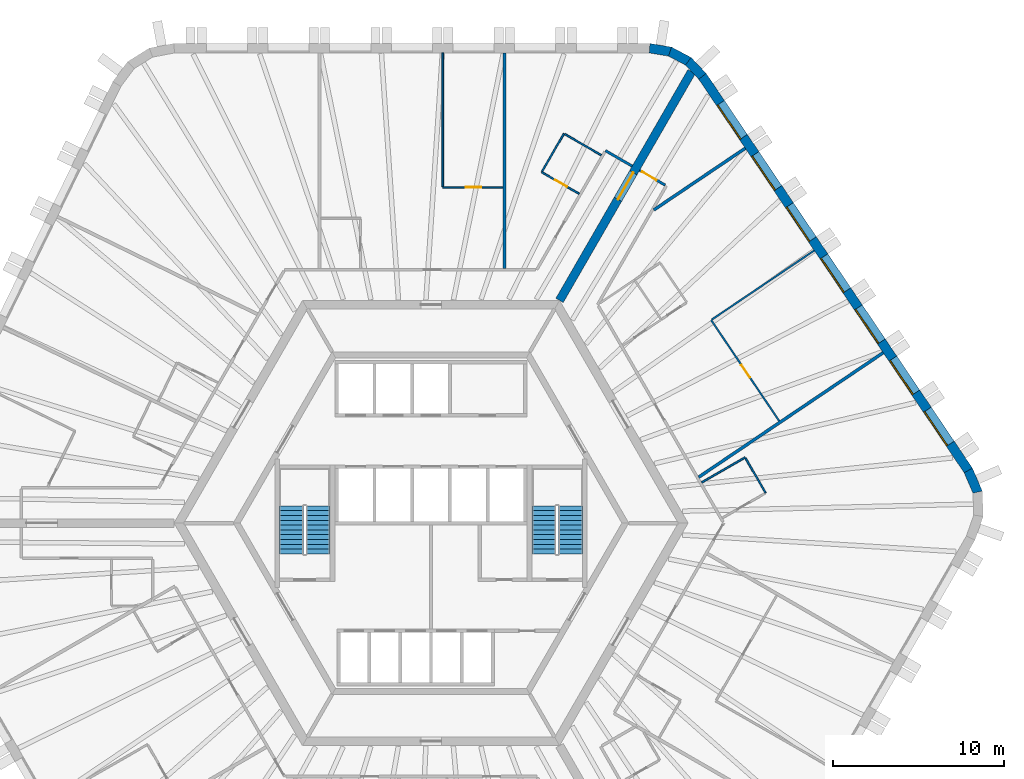
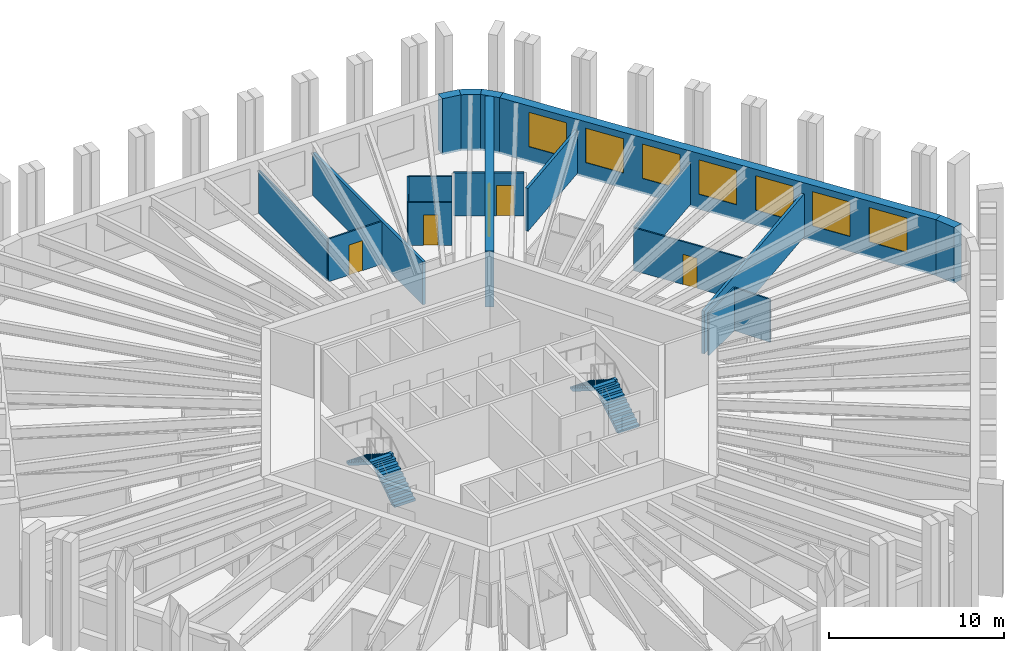
# One storey, part 9 of 10: 20 walls, 7 windows, 5 doors, 4 stair flights, 12 openings, 2 elements without a shape of their own.
"""IFC4 building model written with IfcOpenShell, lengths in metres."""

from ifc_helpers import new_model, si_unit, direction, frame, frame_2d, origin, place, context, subcontext, project, spatial, polyline, rectangle, outline, extrude, material, layer, layer_set, type_object, element, fill, aggregate, save


model = new_model("IFC4")

# Units and contexts
model_context = context("Model", 3, precision=1e-05, world=origin(), true_north=direction((0.0, 1.0)))
body_context = subcontext(model_context, "Body", "Model", "MODEL_VIEW")
ifc_project = project(units=[si_unit("LENGTHUNIT", "METRE"), si_unit("AREAUNIT", "SQUARE_METRE"), si_unit("VOLUMEUNIT", "CUBIC_METRE"), si_unit("PLANEANGLEUNIT", "RADIAN"), si_unit("MASSUNIT", "GRAM", prefix="KILO")], contexts=[model_context])

# Site, building, storey
site_placement = place(None, origin())
site = spatial("IfcSite", under=ifc_project, at=site_placement, CompositionType="ELEMENT")
building_placement = place(site_placement, origin())
building = spatial("IfcBuilding", under=site, at=building_placement, Name="Tarnside Tower", CompositionType="ELEMENT")
storey_placement = place(building_placement, frame((0.0, 0.0, 176.10009765625)))
storey = spatial("IfcBuildingStorey", under=building, at=storey_placement, Name="L41", CompositionType="ELEMENT", Elevation=176.10009765625)

# Wall, opening, door
ifc_material_1 = material(Name="Gypsum board partition on steel studs", Category="steel")
ifc_layer_1 = layer(ifc_material_1, 0.10009765625)
ifc_layer_set_1 = layer_set([ifc_layer_1], Name="Bathroom wall 100")
wall_type_1 = type_object("IfcWallType", Name="Bathroom wall 100", PredefinedType="PARTITIONING", material=ifc_layer_set_1)
wall_1_placement = place(storey_placement, frame((8.646240234375, 19.2255859375, 0.0), z_axis=(0.0, 0.0, 1.0), x_axis=(-0.866039067339, 0.499976333282, 0.0)))
wall_1 = element("IfcWall", 1, at=wall_1_placement, inside=storey, type_object=wall_type_1, Name="Bathroom wall 13049", PredefinedType="PARTITIONING", context=body_context, shape_type="SweptSolid", body=[
    extrude(rectangle(XDim=2.52490234375, YDim=0.10009765625, at=frame_2d((1.262451171875, 0.0))), origin(), (0.0, 0.0, 1.0), 2.98779296875),
])
opening_1_placement = place(wall_1_placement, frame((0.824951171875, 0.0, 0.0)))
opening_1 = element("IfcOpeningElement", 2, at=opening_1_placement, cuts=wall_1, Name="Opening D-B1", PredefinedType="OPENING", context=body_context, shape_type="SweptSolid", body=[
    extrude(rectangle(XDim=0.800048828125, YDim=2.10009765625, at=frame_2d((0.39990234375, 1.050048828125))), frame((0.0, 0.06005859375, 0.0), z_axis=(0.0, -1.0, 0.0), x_axis=(1.0, 0.0, 0.0)), (0.0, 0.0, 1.0), 0.1201171875),
])
ifc_material_2 = material(Name="Timber door leaf", Category="wood")
door_type_1 = type_object("IfcDoorType", Name="Bathroom door 800", OperationType="NOTDEFINED", PredefinedType="DOOR", material=ifc_material_2)
door_1_placement = place(opening_1_placement, origin())
door_1 = element("IfcDoor", 3, at=door_1_placement, inside=storey, type_object=door_type_1, Name="Bathroom door 13002", OperationType="SINGLE_SWING_RIGHT", OverallHeight=2.10009765625, OverallWidth=0.800048828125, PredefinedType="DOOR", context=body_context, shape_type="SweptSolid", body=[
    extrude(rectangle(XDim=0.800048828125, YDim=2.10009765625, at=frame_2d((0.39990234375, 1.050048828125))), frame((0.0, 0.02490234375, 0.0), z_axis=(0.0, -1.0, 0.0), x_axis=(1.0, 0.0, 0.0)), (0.0, 0.0, 1.0), 0.050048828125),
])
fill(opening_1, door_1)

# Walls
wall_2_placement = place(storey_placement, frame((6.484375, 20.531494140625, 0.0), z_axis=(0.0, 0.0, 1.0), x_axis=(0.500062241894, 0.865989465428, 0.0)))
element("IfcWall", 4, at=wall_2_placement, inside=storey, type_object=wall_type_1, Name="Bathroom wall 13050", PredefinedType="PARTITIONING", context=body_context, shape_type="SweptSolid", body=[
    extrude(rectangle(XDim=2.550048828125, YDim=0.10009765625, at=frame_2d((1.27490234375, 0.0))), origin(), (0.0, 0.0, 1.0), 2.98779296875),
])
wall_3_placement = place(storey_placement, frame((7.802734375, 22.71484375, 0.0), z_axis=(0.0, 0.0, 1.0), x_axis=(0.866006523861, -0.500032699561, 0.0)))
element("IfcWall", 5, at=wall_3_placement, inside=storey, type_object=wall_type_1, Name="Bathroom wall 13051", PredefinedType="PARTITIONING", context=body_context, shape_type="SweptSolid", body=[
    extrude(rectangle(XDim=2.474853515625, YDim=0.10009765625, at=frame_2d((1.2373046875, 0.0))), origin(), (0.0, 0.0, 1.0), 2.98779296875),
])
wall_4_placement = place(storey_placement, frame((15.806640625, 2.3720703125, 0.0), z_axis=(0.0, 0.0, 1.0), x_axis=(0.86601045545, 0.500025890382, 0.0)))
element("IfcWall", 6, at=wall_4_placement, inside=storey, type_object=wall_type_1, Name="Bathroom wall 13103", PredefinedType="PARTITIONING", context=body_context, shape_type="SweptSolid", body=[
    extrude(rectangle(XDim=2.925048828125, YDim=0.10009765625, at=frame_2d((1.46240234375, 0.0))), origin(), (0.0, 0.0, 1.0), 2.98779296875),
])
wall_5_placement = place(storey_placement, frame((18.36474609375, 3.791259765625, 0.0), z_axis=(0.0, 0.0, 1.0), x_axis=(0.500016218704, -0.866016039709, 0.0)))
element("IfcWall", 7, at=wall_5_placement, inside=storey, type_object=wall_type_1, Name="Bathroom wall 13104", PredefinedType="PARTITIONING", context=body_context, shape_type="SweptSolid", body=[
    extrude(rectangle(XDim=2.35009765625, YDim=0.10009765625, at=frame_2d((1.175048828125, 0.0))), origin(), (0.0, 0.0, 1.0), 2.98779296875),
])

# Wall, opening, door
ifc_material_3 = material(Name="Concrete C70/85", Category="concrete")
ifc_layer_2 = layer(ifc_material_3, 0.5)
ifc_layer_set_2 = layer_set([ifc_layer_2], Name="Core wall Z2 500 C70/85")
wall_type_2 = type_object("IfcWallType", Name="Core wall Z2 500 C70/85", PredefinedType="SHEAR", material=ifc_layer_set_2)
wall_6_placement = place(storey_placement, frame((7.505615234375, 13.0, -0.150146484375), z_axis=(0.0, 0.0, 1.0), x_axis=(0.499988271576, 0.866032175087, 0.0)))
wall_6 = element("IfcWall", 8, at=wall_6_placement, inside=storey, type_object=wall_type_2, Name="L41 spine wall 1", PredefinedType="SHEAR", context=body_context, shape_type="SweptSolid", body=[
    extrude(rectangle(XDim=15.423583984375, YDim=0.5, at=frame_2d((7.7119140625, 0.0))), origin(), (0.0, 0.0, 1.0), 3.900146484375),
])
opening_2_placement = place(wall_6_placement, frame((6.811767578125, 0.0, 0.14990234375)))
opening_2 = element("IfcOpeningElement", 9, at=opening_2_placement, cuts=wall_6, Name="Opening CD-SPN", PredefinedType="OPENING", context=body_context, shape_type="SweptSolid", body=[
    extrude(rectangle(XDim=1.800048828125, YDim=2.39990234375, at=frame_2d((0.89990234375, 1.199951171875))), frame((0.0, 0.260009765625, 0.0), z_axis=(0.0, -1.0, 0.0), x_axis=(1.0, 0.0, 0.0)), (0.0, 0.0, 1.0), 0.52001953125),
])
ifc_material_4 = material(Name="Steel fire door", Category="steel")
door_type_2 = type_object("IfcDoorType", Name="Spine passage double door FD60 1800x2400", OperationType="NOTDEFINED", PredefinedType="DOOR", material=ifc_material_4)
door_2_placement = place(opening_2_placement, origin())
door_2 = element("IfcDoor", 10, at=door_2_placement, inside=storey, type_object=door_type_2, Name="L41 spine passage door 1", OperationType="DOUBLE_DOOR_SINGLE_SWING", OverallHeight=2.39990234375, OverallWidth=1.800048828125, PredefinedType="DOOR", context=body_context, shape_type="SweptSolid", body=[
    extrude(rectangle(XDim=1.800048828125, YDim=2.39990234375, at=frame_2d((0.89990234375, 1.199951171875))), frame((0.0, 0.02490234375, 0.0), z_axis=(0.0, -1.0, 0.0), x_axis=(1.0, 0.0, 0.0)), (0.0, 0.0, 1.0), 0.050048828125),
])
fill(opening_2, door_2)

# Wall
ifc_layer_3 = layer(ifc_material_1, 0.14990234375)
ifc_layer_set_3 = layer_set([ifc_layer_3], Name="Corridor wall 150 EI 60")
wall_type_3 = type_object("IfcWallType", Name="Corridor wall 150 EI 60", PredefinedType="PARTITIONING", material=ifc_layer_set_3)
wall_7_placement = place(storey_placement, frame((11.744873046875, 20.8427734375, 0.0), z_axis=(0.0, 0.0, 1.0), x_axis=(-0.865989075817, 0.500062916607, 0.0)))
element("IfcWall", 11, at=wall_7_placement, inside=storey, type_object=wall_type_3, Name="Corridor wall 13003", PredefinedType="PARTITIONING", context=body_context, shape_type="SweptSolid", body=[
    extrude(rectangle(XDim=1.800048828125, YDim=0.14990234375, at=frame_2d((0.89990234375, 0.0))), origin(), (0.0, 0.0, 1.0), 2.98779296875),
])

# Wall, opening, door
wall_8_placement = place(storey_placement, frame((13.671875, 19.73046875, 0.0), z_axis=(0.0, 0.0, 1.0), x_axis=(-0.866074815912, 0.499914405916, 0.0)))
wall_8 = element("IfcWall", 12, at=wall_8_placement, inside=storey, type_object=wall_type_3, Name="Corridor wall 13048", PredefinedType="PARTITIONING", context=body_context, shape_type="SweptSolid", body=[
    extrude(rectangle(XDim=1.724853515625, YDim=0.14990234375, at=frame_2d((0.8623046875, 0.0))), origin(), (0.0, 0.0, 1.0), 2.98779296875),
])
opening_3_placement = place(wall_8_placement, frame((0.574951171875, 0.0, 0.0)))
opening_3 = element("IfcOpeningElement", 13, at=opening_3_placement, cuts=wall_8, Name="Opening D-E1", PredefinedType="OPENING", context=body_context, shape_type="SweptSolid", body=[
    extrude(rectangle(XDim=1.0, YDim=2.10009765625, at=frame_2d((0.5, 1.050048828125))), frame((0.0, 0.0849609375, 0.0), z_axis=(0.0, -1.0, 0.0), x_axis=(1.0, 0.0, 0.0)), (0.0, 0.0, 1.0), 0.169921875),
])
door_type_3 = type_object("IfcDoorType", Name="Unit entrance door 1000 FD30S", OperationType="NOTDEFINED", PredefinedType="DOOR", material=ifc_material_2)
door_3_placement = place(opening_3_placement, origin())
door_3 = element("IfcDoor", 14, at=door_3_placement, inside=storey, type_object=door_type_3, Name="Unit door 13035", OperationType="SINGLE_SWING_LEFT", OverallHeight=2.10009765625, OverallWidth=1.0, PredefinedType="DOOR", context=body_context, shape_type="SweptSolid", body=[
    extrude(rectangle(XDim=1.0, YDim=2.10009765625, at=frame_2d((0.5, 1.050048828125))), frame((0.0, 0.02490234375, 0.0), z_axis=(0.0, -1.0, 0.0), x_axis=(1.0, 0.0, 0.0)), (0.0, 0.0, 1.0), 0.050048828125),
])
fill(opening_3, door_3)

# Walls
ifc_layer_4 = layer(ifc_material_1, 0.179931640625)
ifc_layer_set_4 = layer_set([ifc_layer_4], Name="Demising wall 180 EI 60")
wall_type_4 = type_object("IfcWallType", Name="Demising wall 180 EI 60", PredefinedType="PARTITIONING", material=ifc_layer_set_4)
wall_9_placement = place(storey_placement, frame((4.2822265625, 27.449951171875, 0.0), z_axis=(0.0, 0.0, 1.0), x_axis=(0.0, -1.0, 0.0)))
element("IfcWall", 15, at=wall_9_placement, inside=storey, type_object=wall_type_4, Name="Demising wall 13052", PredefinedType="PARTITIONING", context=body_context, shape_type="SweptSolid", body=[
    extrude(rectangle(XDim=12.574951171875, YDim=0.179931640625, at=frame_2d((6.28759765625, 0.0))), origin(), (0.0, 0.0, 1.0), 2.98779296875),
])
wall_10_placement = place(storey_placement, frame((26.40185546875, 9.9462890625, 0.0), z_axis=(0.0, 0.0, 1.0), x_axis=(-0.829032022697, -0.559201131386, 0.0)))
element("IfcWall", 16, at=wall_10_placement, inside=storey, type_object=wall_type_4, Name="Demising wall 13106", PredefinedType="PARTITIONING", context=body_context, shape_type="SweptSolid", body=[
    extrude(rectangle(XDim=12.99462890625, YDim=0.179931640625, at=frame_2d((6.497314453125, 0.0))), origin(), (0.0, 0.0, 1.0), 2.98779296875),
])
wall_11_placement = place(storey_placement, frame((18.349609375, 21.88427734375, 0.0), z_axis=(0.0, 0.0, 1.0), x_axis=(-0.829047205772, -0.559178621374, 0.0)))
element("IfcWall", 17, at=wall_11_placement, inside=storey, type_object=wall_type_4, Name="Demising wall 13115", PredefinedType="PARTITIONING", context=body_context, shape_type="SweptSolid", body=[
    extrude(rectangle(XDim=6.442138671875, YDim=0.179931640625, at=frame_2d((3.22119140625, 0.0))), origin(), (0.0, 0.0, 1.0), 2.98779296875),
])

# Wall, opening, door
ifc_layer_5 = layer(ifc_material_1, 0.10009765625)
ifc_layer_set_5 = layer_set([ifc_layer_5], Name="Partition 100")
wall_type_5 = type_object("IfcWallType", Name="Partition 100", PredefinedType="PARTITIONING", material=ifc_layer_set_5)
wall_12_placement = place(storey_placement, frame((4.192138671875, 19.60009765625, 0.0), z_axis=(0.0, 0.0, 1.0), x_axis=(-1.0, 0.0, 0.0)))
wall_12 = element("IfcWall", 18, at=wall_12_placement, inside=storey, type_object=wall_type_5, Name="Partition wall 13056", PredefinedType="PARTITIONING", context=body_context, shape_type="SweptSolid", body=[
    extrude(rectangle(XDim=3.510009765625, YDim=0.10009765625, at=frame_2d((1.7548828125, 0.0))), origin(), (0.0, 0.0, 1.0), 2.98779296875),
])
opening_4_placement = place(wall_12_placement, frame((1.260009765625, 0.0, 0.0)))
opening_4 = element("IfcOpeningElement", 19, at=opening_4_placement, cuts=wall_12, Name="Opening D-I1", PredefinedType="OPENING", context=body_context, shape_type="SweptSolid", body=[
    extrude(rectangle(XDim=0.89990234375, YDim=2.10009765625, at=frame_2d((0.449951171875, 1.050048828125))), frame((0.0, 0.06005859375, 0.0), z_axis=(0.0, -1.0, 0.0), x_axis=(1.0, 0.0, 0.0)), (0.0, 0.0, 1.0), 0.1201171875),
])
door_type_4 = type_object("IfcDoorType", Name="Internal door 900", OperationType="NOTDEFINED", PredefinedType="DOOR", material=ifc_material_2)
door_4_placement = place(opening_4_placement, origin())
door_4 = element("IfcDoor", 20, at=door_4_placement, inside=storey, type_object=door_type_4, Name="Internal door 13005", OperationType="SINGLE_SWING_RIGHT", OverallHeight=2.10009765625, OverallWidth=0.89990234375, PredefinedType="DOOR", context=body_context, shape_type="SweptSolid", body=[
    extrude(rectangle(XDim=0.89990234375, YDim=2.10009765625, at=frame_2d((0.449951171875, 1.050048828125))), frame((0.0, 0.02490234375, 0.0), z_axis=(0.0, -1.0, 0.0), x_axis=(1.0, 0.0, 0.0)), (0.0, 0.0, 1.0), 0.050048828125),
])
fill(opening_4, door_4)

# Wall
wall_13_placement = place(storey_placement, frame((0.68212890625, 19.64990234375, 0.0), z_axis=(0.0, 0.0, 1.0), x_axis=(0.0, 1.0, 0.0)))
element("IfcWall", 21, at=wall_13_placement, inside=storey, type_object=wall_type_5, Name="Partition wall 13057", PredefinedType="PARTITIONING", context=body_context, shape_type="SweptSolid", body=[
    extrude(rectangle(XDim=7.800048828125, YDim=0.10009765625, at=frame_2d((3.89990234375, 0.0))), origin(), (0.0, 0.0, 1.0), 2.98779296875),
])

# Wall, opening, door
wall_14_placement = place(storey_placement, frame((20.330810546875, 5.959716796875, 0.0), z_axis=(0.0, 0.0, 1.0), x_axis=(-0.559185029686, 0.829042883435, 0.0)))
wall_14 = element("IfcWall", 22, at=wall_14_placement, inside=storey, type_object=wall_type_5, Name="Partition wall 13113", PredefinedType="PARTITIONING", context=body_context, shape_type="SweptSolid", body=[
    extrude(rectangle(XDim=7.110107421875, YDim=0.10009765625, at=frame_2d((3.55517578125, 0.0))), origin(), (0.0, 0.0, 1.0), 2.98779296875),
])
opening_5_placement = place(wall_14_placement, frame((3.06005859375, 0.0, 0.0)))
opening_5 = element("IfcOpeningElement", 23, at=opening_5_placement, cuts=wall_14, Name="Opening D-I1", PredefinedType="OPENING", context=body_context, shape_type="SweptSolid", body=[
    extrude(rectangle(XDim=0.89990234375, YDim=2.10009765625, at=frame_2d((0.449951171875, 1.050048828125))), frame((0.0, 0.06005859375, 0.0), z_axis=(0.0, -1.0, 0.0), x_axis=(1.0, 0.0, 0.0)), (0.0, 0.0, 1.0), 0.1201171875),
])
door_5_placement = place(opening_5_placement, origin())
door_5 = element("IfcDoor", 24, at=door_5_placement, inside=storey, type_object=door_type_4, Name="Internal door 13034", OperationType="SINGLE_SWING_RIGHT", OverallHeight=2.10009765625, OverallWidth=0.89990234375, PredefinedType="DOOR", context=body_context, shape_type="SweptSolid", body=[
    extrude(rectangle(XDim=0.89990234375, YDim=2.10009765625, at=frame_2d((0.449951171875, 1.050048828125))), frame((0.0, 0.02490234375, 0.0), z_axis=(0.0, -1.0, 0.0), x_axis=(1.0, 0.0, 0.0)), (0.0, 0.0, 1.0), 0.050048828125),
])
fill(opening_5, door_5)

# Walls
wall_15_placement = place(storey_placement, frame((16.396240234375, 11.882080078125, 0.0), z_axis=(0.0, 0.0, 1.0), x_axis=(0.829038554805, 0.559191447223, 0.0)))
element("IfcWall", 25, at=wall_15_placement, inside=storey, type_object=wall_type_5, Name="Partition wall 13114", PredefinedType="PARTITIONING", context=body_context, shape_type="SweptSolid", body=[
    extrude(rectangle(XDim=7.212646484375, YDim=0.10009765625, at=frame_2d((3.6064453125, 0.0))), origin(), (0.0, 0.0, 1.0), 2.98779296875),
])
ifc_material_5 = material(Name="Facing brick", Category="masonry")
ifc_layer_6 = layer(ifc_material_5, 0.10205078125)
ifc_material_6 = material(Name="Concrete C60/75 precast", Category="concrete")
ifc_layer_7 = layer(ifc_material_6, 0.347900390625)
ifc_material_7 = material(Name="Mineral wool insulation")
ifc_layer_8 = layer(ifc_material_7, 0.10009765625)
ifc_layer_set_6 = layer_set([ifc_layer_6, ifc_layer_7, ifc_layer_8], Name="Tube wall 550 brick faced")
wall_type_6 = type_object("IfcWallType", Name="Tube wall 550 brick faced", PredefinedType="SOLIDWALL", material=ifc_layer_set_6)
wall_16_placement = place(storey_placement, frame((31.91748046875, 1.804443359375, -0.150146484375), z_axis=(0.0, 0.0, 1.0), x_axis=(-0.396225741392, 0.918153125496, 0.0)))
element("IfcWall", 26, at=wall_16_placement, inside=storey, type_object=wall_type_6, Name="Tube wall L41 F5 chord 19", PredefinedType="SOLIDWALL", context=body_context, shape_type="SweptSolid", body=[
    extrude(outline(polyline([(-0.0517578125, -0.27490234375), (1.404541015625, -0.27490234375), (1.353271484375, 0.27490234375), (0.0517578125, 0.27490234375), (-0.0517578125, -0.27490234375)])), origin(), (0.0, 0.0, 1.0), 3.900146484375),
])

# Wall, openings, windows
wall_17_placement = place(storey_placement, frame((31.37109375, 3.070556640625, -0.150146484375), z_axis=(0.0, 0.0, 1.0), x_axis=(-0.559189891278, 0.829039604297, 0.0)))
wall_17 = element("IfcWall", 27, at=wall_17_placement, inside=storey, type_object=wall_type_6, Name="Tube wall L41 F6 flush 20", PredefinedType="SOLIDWALL", context=body_context, shape_type="SweptSolid", body=[
    extrude(outline(polyline([(-0.025634765625, -0.27490234375), (27.780517578125, -0.27490234375), (27.735595703125, 0.27490234375), (0.025634765625, 0.27490234375), (-0.025634765625, -0.27490234375)])), origin(), (0.0, 0.0, 1.0), 3.900146484375),
])
opening_6_placement = place(wall_17_placement, frame((1.87890625, 0.0, 1.050048828125)))
opening_6 = element("IfcOpeningElement", 28, at=opening_6_placement, cuts=wall_17, Name="Opening WH", PredefinedType="OPENING", context=body_context, shape_type="SweptSolid", body=[
    extrude(rectangle(XDim=2.39990234375, YDim=2.39990234375, at=frame_2d((1.199951171875, 1.199951171875))), frame((0.0, 0.28515625, 0.0), z_axis=(0.0, -1.0, 0.0), x_axis=(1.0, 0.0, 0.0)), (0.0, 0.0, 1.0), 0.570068359375),
])
opening_7_placement = place(wall_17_placement, frame((5.47900390625, 0.0, 1.050048828125)))
opening_7 = element("IfcOpeningElement", 29, at=opening_7_placement, cuts=wall_17, Name="Opening WH", PredefinedType="OPENING", context=body_context, shape_type="SweptSolid", body=[
    extrude(rectangle(XDim=2.39990234375, YDim=2.39990234375, at=frame_2d((1.199951171875, 1.199951171875))), frame((0.0, 0.28515625, 0.0), z_axis=(0.0, -1.0, 0.0), x_axis=(1.0, 0.0, 0.0)), (0.0, 0.0, 1.0), 0.570068359375),
])
opening_8_placement = place(wall_17_placement, frame((9.078857421875, 0.0, 1.050048828125)))
opening_8 = element("IfcOpeningElement", 30, at=opening_8_placement, cuts=wall_17, Name="Opening WH", PredefinedType="OPENING", context=body_context, shape_type="SweptSolid", body=[
    extrude(rectangle(XDim=2.39990234375, YDim=2.39990234375, at=frame_2d((1.199951171875, 1.199951171875))), frame((0.0, 0.28515625, 0.0), z_axis=(0.0, -1.0, 0.0), x_axis=(1.0, 0.0, 0.0)), (0.0, 0.0, 1.0), 0.570068359375),
])
opening_9_placement = place(wall_17_placement, frame((12.678955078125, 0.0, 1.050048828125)))
opening_9 = element("IfcOpeningElement", 31, at=opening_9_placement, cuts=wall_17, Name="Opening WH", PredefinedType="OPENING", context=body_context, shape_type="SweptSolid", body=[
    extrude(rectangle(XDim=2.39990234375, YDim=2.39990234375, at=frame_2d((1.199951171875, 1.199951171875))), frame((0.0, 0.28515625, 0.0), z_axis=(0.0, -1.0, 0.0), x_axis=(1.0, 0.0, 0.0)), (0.0, 0.0, 1.0), 0.570068359375),
])
opening_10_placement = place(wall_17_placement, frame((16.27880859375, 0.0, 1.050048828125)))
opening_10 = element("IfcOpeningElement", 32, at=opening_10_placement, cuts=wall_17, Name="Opening WH", PredefinedType="OPENING", context=body_context, shape_type="SweptSolid", body=[
    extrude(rectangle(XDim=2.39990234375, YDim=2.39990234375, at=frame_2d((1.199951171875, 1.199951171875))), frame((0.0, 0.28515625, 0.0), z_axis=(0.0, -1.0, 0.0), x_axis=(1.0, 0.0, 0.0)), (0.0, 0.0, 1.0), 0.570068359375),
])
opening_11_placement = place(wall_17_placement, frame((19.87890625, 0.0, 1.050048828125)))
opening_11 = element("IfcOpeningElement", 33, at=opening_11_placement, cuts=wall_17, Name="Opening WH", PredefinedType="OPENING", context=body_context, shape_type="SweptSolid", body=[
    extrude(rectangle(XDim=2.39990234375, YDim=2.39990234375, at=frame_2d((1.199951171875, 1.199951171875))), frame((0.0, 0.28515625, 0.0), z_axis=(0.0, -1.0, 0.0), x_axis=(1.0, 0.0, 0.0)), (0.0, 0.0, 1.0), 0.570068359375),
])
opening_12_placement = place(wall_17_placement, frame((23.47900390625, 0.0, 1.050048828125)))
opening_12 = element("IfcOpeningElement", 34, at=opening_12_placement, cuts=wall_17, Name="Opening WH", PredefinedType="OPENING", context=body_context, shape_type="SweptSolid", body=[
    extrude(rectangle(XDim=2.39990234375, YDim=2.39990234375, at=frame_2d((1.199951171875, 1.199951171875))), frame((0.0, 0.28515625, 0.0), z_axis=(0.0, -1.0, 0.0), x_axis=(1.0, 0.0, 0.0)), (0.0, 0.0, 1.0), 0.570068359375),
])
ifc_material_8 = material(Name="Aluminium-framed double glazing", Category="aluminium")
window_type = type_object("IfcWindowType", Name="Hotel window 2400 x 2400", PartitioningType="DOUBLE_PANEL_VERTICAL", PredefinedType="WINDOW", material=ifc_material_8)
window_1_placement = place(opening_6_placement, frame((0.0, 0.205078125, 0.0)))
window_1 = element("IfcWindow", 35, at=window_1_placement, inside=storey, type_object=window_type, Name="E.WN.L41.F6.00", OverallHeight=2.39990234375, OverallWidth=2.39990234375, PartitioningType="DOUBLE_PANEL_VERTICAL", PredefinedType="WINDOW", context=body_context, shape_type="SweptSolid", body=[
    extrude(rectangle(XDim=2.39990234375, YDim=2.39990234375, at=frame_2d((1.199951171875, 1.199951171875))), frame((0.0, 0.030029296875, 0.0), z_axis=(0.0, -1.0, 0.0), x_axis=(1.0, 0.0, 0.0)), (0.0, 0.0, 1.0), 0.06005859375),
])
fill(opening_6, window_1)
window_2_placement = place(opening_7_placement, frame((0.0, 0.205078125, 0.0)))
window_2 = element("IfcWindow", 36, at=window_2_placement, inside=storey, type_object=window_type, Name="E.WN.L41.F6.01", OverallHeight=2.39990234375, OverallWidth=2.39990234375, PartitioningType="DOUBLE_PANEL_VERTICAL", PredefinedType="WINDOW", context=body_context, shape_type="SweptSolid", body=[
    extrude(rectangle(XDim=2.39990234375, YDim=2.39990234375, at=frame_2d((1.199951171875, 1.199951171875))), frame((0.0, 0.030029296875, 0.0), z_axis=(0.0, -1.0, 0.0), x_axis=(1.0, 0.0, 0.0)), (0.0, 0.0, 1.0), 0.06005859375),
])
fill(opening_7, window_2)
window_3_placement = place(opening_8_placement, frame((0.0, 0.205078125, 0.0)))
window_3 = element("IfcWindow", 37, at=window_3_placement, inside=storey, type_object=window_type, Name="E.WN.L41.F6.02", OverallHeight=2.39990234375, OverallWidth=2.39990234375, PartitioningType="DOUBLE_PANEL_VERTICAL", PredefinedType="WINDOW", context=body_context, shape_type="SweptSolid", body=[
    extrude(rectangle(XDim=2.39990234375, YDim=2.39990234375, at=frame_2d((1.199951171875, 1.199951171875))), frame((0.0, 0.030029296875, 0.0), z_axis=(0.0, -1.0, 0.0), x_axis=(1.0, 0.0, 0.0)), (0.0, 0.0, 1.0), 0.06005859375),
])
fill(opening_8, window_3)
window_4_placement = place(opening_9_placement, frame((0.0, 0.205078125, 0.0)))
window_4 = element("IfcWindow", 38, at=window_4_placement, inside=storey, type_object=window_type, Name="E.WN.L41.F6.03", OverallHeight=2.39990234375, OverallWidth=2.39990234375, PartitioningType="DOUBLE_PANEL_VERTICAL", PredefinedType="WINDOW", context=body_context, shape_type="SweptSolid", body=[
    extrude(rectangle(XDim=2.39990234375, YDim=2.39990234375, at=frame_2d((1.199951171875, 1.199951171875))), frame((0.0, 0.030029296875, 0.0), z_axis=(0.0, -1.0, 0.0), x_axis=(1.0, 0.0, 0.0)), (0.0, 0.0, 1.0), 0.06005859375),
])
fill(opening_9, window_4)
window_5_placement = place(opening_10_placement, frame((0.0, 0.205078125, 0.0)))
window_5 = element("IfcWindow", 39, at=window_5_placement, inside=storey, type_object=window_type, Name="E.WN.L41.F6.04", OverallHeight=2.39990234375, OverallWidth=2.39990234375, PartitioningType="DOUBLE_PANEL_VERTICAL", PredefinedType="WINDOW", context=body_context, shape_type="SweptSolid", body=[
    extrude(rectangle(XDim=2.39990234375, YDim=2.39990234375, at=frame_2d((1.199951171875, 1.199951171875))), frame((0.0, 0.030029296875, 0.0), z_axis=(0.0, -1.0, 0.0), x_axis=(1.0, 0.0, 0.0)), (0.0, 0.0, 1.0), 0.06005859375),
])
fill(opening_10, window_5)
window_6_placement = place(opening_11_placement, frame((0.0, 0.205078125, 0.0)))
window_6 = element("IfcWindow", 40, at=window_6_placement, inside=storey, type_object=window_type, Name="E.WN.L41.F6.05", OverallHeight=2.39990234375, OverallWidth=2.39990234375, PartitioningType="DOUBLE_PANEL_VERTICAL", PredefinedType="WINDOW", context=body_context, shape_type="SweptSolid", body=[
    extrude(rectangle(XDim=2.39990234375, YDim=2.39990234375, at=frame_2d((1.199951171875, 1.199951171875))), frame((0.0, 0.030029296875, 0.0), z_axis=(0.0, -1.0, 0.0), x_axis=(1.0, 0.0, 0.0)), (0.0, 0.0, 1.0), 0.06005859375),
])
fill(opening_11, window_6)
window_7_placement = place(opening_12_placement, frame((0.0, 0.205078125, 0.0)))
window_7 = element("IfcWindow", 41, at=window_7_placement, inside=storey, type_object=window_type, Name="E.WN.L41.F6.06", OverallHeight=2.39990234375, OverallWidth=2.39990234375, PartitioningType="DOUBLE_PANEL_VERTICAL", PredefinedType="WINDOW", context=body_context, shape_type="SweptSolid", body=[
    extrude(rectangle(XDim=2.39990234375, YDim=2.39990234375, at=frame_2d((1.199951171875, 1.199951171875))), frame((0.0, 0.030029296875, 0.0), z_axis=(0.0, -1.0, 0.0), x_axis=(1.0, 0.0, 0.0)), (0.0, 0.0, 1.0), 0.06005859375),
])
fill(opening_12, window_7)

# Walls
wall_18_placement = place(storey_placement, frame((15.84912109375, 26.0830078125, -0.150146484375), z_axis=(0.0, 0.0, 1.0), x_axis=(-0.686196220404, 0.727416488061, 0.0)))
element("IfcWall", 42, at=wall_18_placement, inside=storey, type_object=wall_type_6, Name="Tube wall L41 F6 chord 21", PredefinedType="SOLIDWALL", context=body_context, shape_type="SweptSolid", body=[
    extrude(outline(polyline([(-0.0224609375, -0.27490234375), (1.25341796875, -0.27490234375), (1.1630859375, 0.27490234375), (0.0224609375, 0.27490234375), (-0.0224609375, -0.27490234375)])), origin(), (0.0, 0.0, 1.0), 3.900146484375),
])
wall_19_placement = place(storey_placement, frame((15.02001953125, 26.9619140625, -0.150146484375), z_axis=(0.0, 0.0, 1.0), x_axis=(-0.882950818639, 0.469465495926, 0.0)))
element("IfcWall", 43, at=wall_19_placement, inside=storey, type_object=wall_type_6, Name="Tube wall L41 F6 chord 22", PredefinedType="SOLIDWALL", context=body_context, shape_type="SweptSolid", body=[
    extrude(outline(polyline([(-0.045166015625, -0.27490234375), (1.253173828125, -0.27490234375), (1.162841796875, 0.27490234375), (0.045166015625, 0.27490234375), (-0.045166015625, -0.27490234375)])), origin(), (0.0, 0.0, 1.0), 3.900146484375),
])
wall_20_placement = place(storey_placement, frame((13.953369140625, 27.529052734375, -0.150146484375), z_axis=(0.0, 0.0, 1.0), x_axis=(-0.986751945211, 0.162236243244, 0.0)))
element("IfcWall", 44, at=wall_20_placement, inside=storey, type_object=wall_type_6, Name="Tube wall L41 F6 chord 23", PredefinedType="SOLIDWALL", context=body_context, shape_type="SweptSolid", body=[
    extrude(outline(polyline([(-0.045166015625, -0.27490234375), (1.23095703125, -0.27490234375), (1.18603515625, 0.27490234375), (0.045166015625, 0.27490234375), (-0.045166015625, -0.27490234375)])), origin(), (0.0, 0.0, 1.0), 3.900146484375),
])

# Stair, stair flights
ifc_material_9 = material(Name="Concrete C40/50", Category="concrete")
stair_type = type_object("IfcStairType", Name="Exit stair 1400 clear", PredefinedType="HALF_TURN_STAIR", material=ifc_material_9)
stair_1_placement = place(storey_placement, origin())
stair_1 = element("IfcStair", 45, at=stair_1_placement, inside=storey, type_object=stair_type, Name="L41 Exit stair 1", PredefinedType="HALF_TURN_STAIR")
stair_flight_type = type_object("IfcStairFlightType", Name="Exit stair flight 1400", PredefinedType="STRAIGHT", material=ifc_material_9)
stair_flight_1_placement = place(storey_placement, frame((8.14990234375, -1.800048828125, 0.0), z_axis=(0.0, 0.0, 1.0), x_axis=(0.0, 1.0, 0.0)))
stair_flight_1 = element("IfcStairFlight", 46, at=stair_flight_1_placement, type_object=stair_flight_type, Name="ST1 flight 1", NumberOfRisers=11, NumberOfTreads=10, PredefinedType="STRAIGHT", RiserHeight=0.177272727, TreadLength=0.28, context=body_context, shape_type="SweptSolid", body=[
    extrude(outline(polyline([(0.0, 0.0), (0.0, 0.17724609375), (0.280029296875, 0.17724609375), (0.280029296875, 0.3544921875), (0.56005859375, 0.3544921875), (0.56005859375, 0.53173828125), (0.840087890625, 0.53173828125), (0.840087890625, 0.708984375), (1.1201171875, 0.708984375), (1.1201171875, 0.886474609375), (1.39990234375, 0.886474609375), (1.39990234375, 1.063720703125), (1.679931640625, 1.063720703125), (1.679931640625, 1.240966796875), (1.9599609375, 1.240966796875), (1.9599609375, 1.418212890625), (2.239990234375, 1.418212890625), (2.239990234375, 1.595458984375), (2.52001953125, 1.595458984375), (2.52001953125, 1.772705078125), (2.800048828125, 1.772705078125), (2.800048828125, 1.949951171875), (2.800048828125, 1.59521484375), (0.2802734375, 0.0), (0.0, 0.0)])), frame((0.0, 0.699951171875, 0.0), z_axis=(0.0, -1.0, 0.0), x_axis=(1.0, 0.0, 0.0)), (0.0, 0.0, 1.0), 1.39990234375),
])
stair_flight_2_placement = place(storey_placement, frame((6.60009765625, 1.0, 1.949951171875), z_axis=(0.0, 0.0, 1.0), x_axis=(0.0, -1.0, 0.0)))
stair_flight_2 = element("IfcStairFlight", 47, at=stair_flight_2_placement, type_object=stair_flight_type, Name="ST1 flight 2", NumberOfRisers=11, NumberOfTreads=10, PredefinedType="STRAIGHT", RiserHeight=0.177272727, TreadLength=0.28, context=body_context, shape_type="SweptSolid", body=[
    extrude(outline(polyline([(0.0, 0.0), (0.0, 0.17724609375), (0.280029296875, 0.17724609375), (0.280029296875, 0.3544921875), (0.56005859375, 0.3544921875), (0.56005859375, 0.53173828125), (0.840087890625, 0.53173828125), (0.840087890625, 0.708984375), (1.1201171875, 0.708984375), (1.1201171875, 0.886474609375), (1.39990234375, 0.886474609375), (1.39990234375, 1.063720703125), (1.679931640625, 1.063720703125), (1.679931640625, 1.240966796875), (1.9599609375, 1.240966796875), (1.9599609375, 1.418212890625), (2.239990234375, 1.418212890625), (2.239990234375, 1.595458984375), (2.52001953125, 1.595458984375), (2.52001953125, 1.772705078125), (2.800048828125, 1.772705078125), (2.800048828125, 1.949951171875), (2.800048828125, 1.59521484375), (0.2802734375, 0.0), (0.0, 0.0)])), frame((0.0, 0.699951171875, 0.0), z_axis=(0.0, -1.0, 0.0), x_axis=(1.0, 0.0, 0.0)), (0.0, 0.0, 1.0), 1.39990234375),
])
aggregate(stair_1, [stair_flight_1, stair_flight_2])

stair_2_placement = place(storey_placement, origin())
stair_2 = element("IfcStair", 48, at=stair_2_placement, inside=storey, type_object=stair_type, Name="L41 Exit stair 2", PredefinedType="HALF_TURN_STAIR")
stair_flight_3_placement = place(storey_placement, frame((-6.60009765625, -1.800048828125, 0.0), z_axis=(0.0, 0.0, 1.0), x_axis=(0.0, 1.0, 0.0)))
stair_flight_3 = element("IfcStairFlight", 49, at=stair_flight_3_placement, type_object=stair_flight_type, Name="ST2 flight 1", NumberOfRisers=11, NumberOfTreads=10, PredefinedType="STRAIGHT", RiserHeight=0.177272727, TreadLength=0.28, context=body_context, shape_type="SweptSolid", body=[
    extrude(outline(polyline([(0.0, 0.0), (0.0, 0.17724609375), (0.280029296875, 0.17724609375), (0.280029296875, 0.3544921875), (0.56005859375, 0.3544921875), (0.56005859375, 0.53173828125), (0.840087890625, 0.53173828125), (0.840087890625, 0.708984375), (1.1201171875, 0.708984375), (1.1201171875, 0.886474609375), (1.39990234375, 0.886474609375), (1.39990234375, 1.063720703125), (1.679931640625, 1.063720703125), (1.679931640625, 1.240966796875), (1.9599609375, 1.240966796875), (1.9599609375, 1.418212890625), (2.239990234375, 1.418212890625), (2.239990234375, 1.595458984375), (2.52001953125, 1.595458984375), (2.52001953125, 1.772705078125), (2.800048828125, 1.772705078125), (2.800048828125, 1.949951171875), (2.800048828125, 1.59521484375), (0.2802734375, 0.0), (0.0, 0.0)])), frame((0.0, 0.699951171875, 0.0), z_axis=(0.0, -1.0, 0.0), x_axis=(1.0, 0.0, 0.0)), (0.0, 0.0, 1.0), 1.39990234375),
])
stair_flight_4_placement = place(storey_placement, frame((-8.14990234375, 1.0, 1.949951171875), z_axis=(0.0, 0.0, 1.0), x_axis=(0.0, -1.0, 0.0)))
stair_flight_4 = element("IfcStairFlight", 50, at=stair_flight_4_placement, type_object=stair_flight_type, Name="ST2 flight 2", NumberOfRisers=11, NumberOfTreads=10, PredefinedType="STRAIGHT", RiserHeight=0.177272727, TreadLength=0.28, context=body_context, shape_type="SweptSolid", body=[
    extrude(outline(polyline([(0.0, 0.0), (0.0, 0.17724609375), (0.280029296875, 0.17724609375), (0.280029296875, 0.3544921875), (0.56005859375, 0.3544921875), (0.56005859375, 0.53173828125), (0.840087890625, 0.53173828125), (0.840087890625, 0.708984375), (1.1201171875, 0.708984375), (1.1201171875, 0.886474609375), (1.39990234375, 0.886474609375), (1.39990234375, 1.063720703125), (1.679931640625, 1.063720703125), (1.679931640625, 1.240966796875), (1.9599609375, 1.240966796875), (1.9599609375, 1.418212890625), (2.239990234375, 1.418212890625), (2.239990234375, 1.595458984375), (2.52001953125, 1.595458984375), (2.52001953125, 1.772705078125), (2.800048828125, 1.772705078125), (2.800048828125, 1.949951171875), (2.800048828125, 1.59521484375), (0.2802734375, 0.0), (0.0, 0.0)])), frame((0.0, 0.699951171875, 0.0), z_axis=(0.0, -1.0, 0.0), x_axis=(1.0, 0.0, 0.0)), (0.0, 0.0, 1.0), 1.39990234375),
])
aggregate(stair_2, [stair_flight_3, stair_flight_4])

save(model, "model.ifc")
